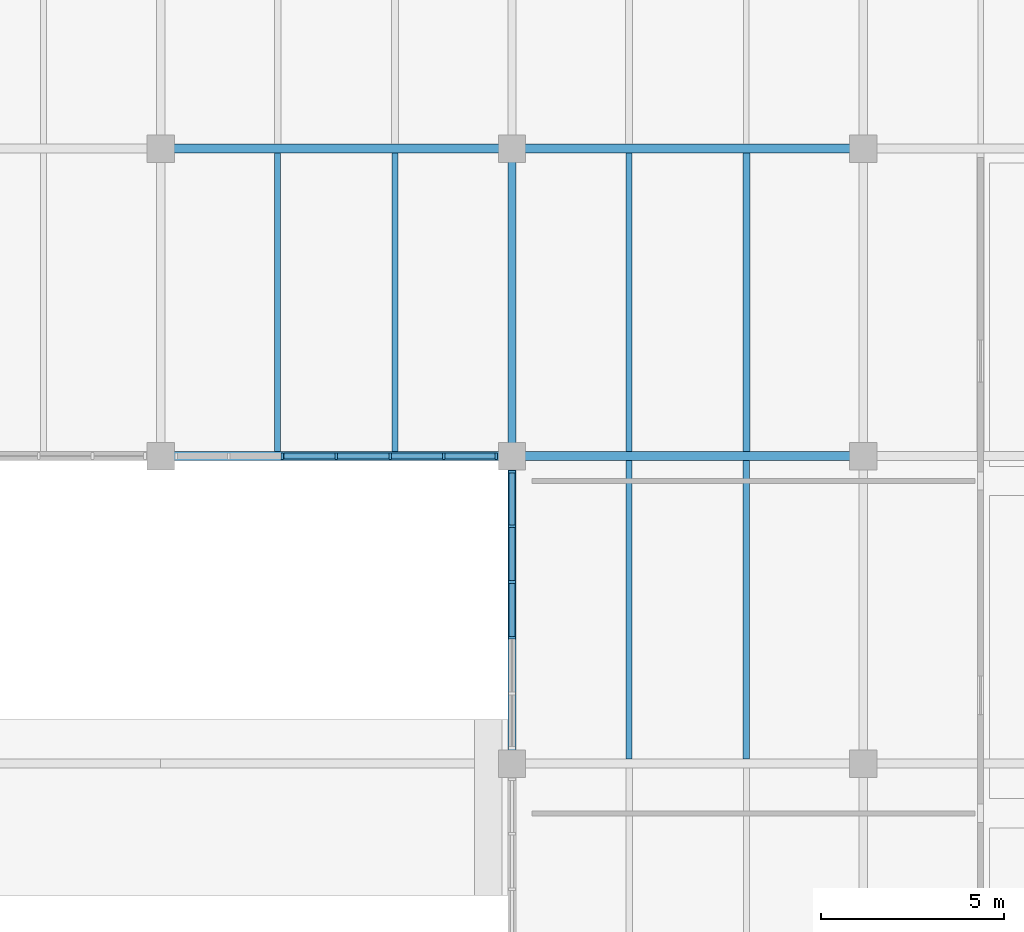
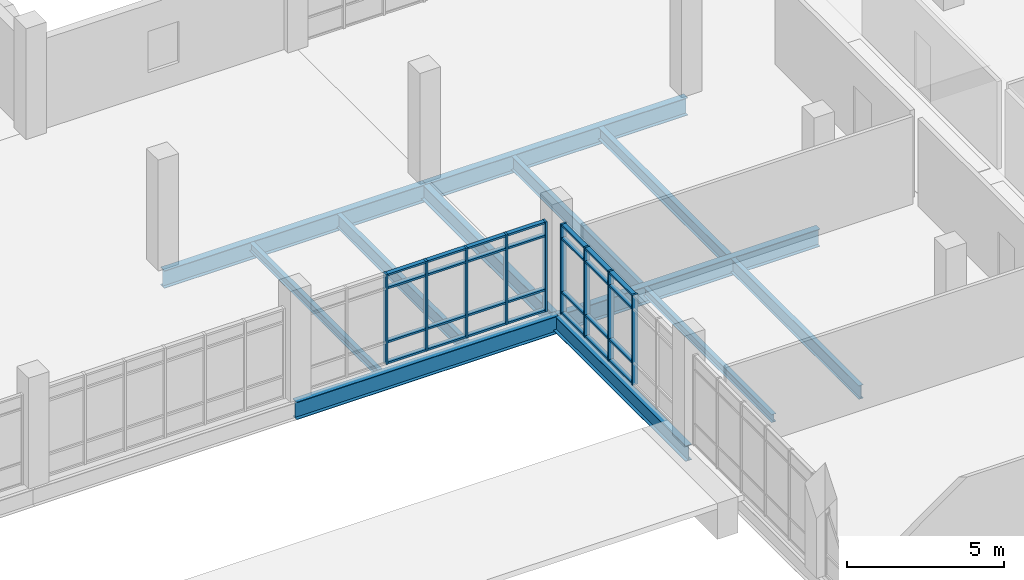
# One storey, part 28 of 86: 37 members, 12 beams, 2 elements without a shape of their own.
"""IFC4 building model written with IfcOpenShell, lengths in metres."""

from ifc_helpers import new_model, si_unit, direction, frame, origin, origin_2d, place, context, subcontext, project, spatial, rectangle, i_section, extrude, material, material_profile, profile_set, type_object, element, aggregate, save


model = new_model("IFC4")

# Units and contexts
model_context = context("Model", 3, precision=1e-05, world=origin(), true_north=direction((0.0, 1.0)))
body_context = subcontext(model_context, "Body", "Model", "MODEL_VIEW")
ifc_project = project(units=[si_unit("LENGTHUNIT", "METRE"), si_unit("AREAUNIT", "SQUARE_METRE"), si_unit("VOLUMEUNIT", "CUBIC_METRE"), si_unit("PLANEANGLEUNIT", "RADIAN"), si_unit("MASSUNIT", "GRAM", prefix="KILO")], contexts=[model_context])

# Site, building, storey
site_placement = place(None, origin())
site = spatial("IfcSite", under=ifc_project, at=site_placement, CompositionType="ELEMENT")
building_placement = place(site_placement, origin())
building = spatial("IfcBuilding", under=site, at=building_placement, Name="Oolite Switchyard Hospital", CompositionType="ELEMENT")
storey_placement = place(building_placement, frame((0.0, 0.0, 13.5)))
storey = spatial("IfcBuildingStorey", under=building, at=storey_placement, Name="L03", CompositionType="ELEMENT", Elevation=13.5)

# Beams
ifc_material_1 = material(Name="Steel ASTM A992 Grade 50", Category="steel")
ifc_material_profile_1 = material_profile(ifc_material_1, i_section(OverallWidth=0.1650390625, OverallDepth=0.31005859375, WebThickness=0.006103515625, FlangeThickness=0.010009765625, at=origin_2d()), Name="W12X26")
ifc_profile_set_1 = profile_set([ifc_material_profile_1], Name="Steel ASTM A992 Grade 50")
beam_type_1 = type_object("IfcBeamType", Name="BM-W12X26", PredefinedType="JOIST", material=ifc_profile_set_1)
for number, where, z_axis, x_axis, name in (
    (1, (176.0, 58.927001953125, -0.429931640625), (0.0, 1.0, 0.0), (-1.0, 0.0, 0.0), "L03 Secondary Steel Joist 2682"),
    (2, (185.60009765625, 50.527099609375, -0.429931640625), (0.0, 1.0, 0.0), (-1.0, 0.0, 0.0), "L03 Secondary Steel Joist 2704"),
):
    element("IfcBeam", number, at=place(storey_placement, frame(where, z_axis=z_axis, x_axis=x_axis)), inside=storey, type_object=beam_type_1, Name=name, PredefinedType="JOIST", context=body_context, shape_type="SweptSolid", body=[
        extrude(i_section(OverallWidth=0.1650390625, OverallDepth=0.31005859375, WebThickness=0.006103515625, FlangeThickness=0.010009765625, at=origin_2d()), origin(), (0.0, 0.0, 1.0), 8.14599609375),
    ])
ifc_material_profile_2 = material_profile(ifc_material_1, i_section(OverallWidth=0.19091796875, OverallDepth=0.4599609375, WebThickness=0.010009765625, FlangeThickness=0.01611328125, at=origin_2d()), Name="W18X55")
ifc_profile_set_2 = profile_set([ifc_material_profile_2], Name="Steel ASTM A992 Grade 50")
beam_type_2 = type_object("IfcBeamType", Name="BM-W18X55", PredefinedType="JOIST", material=ifc_profile_set_2)
beam_1_placement = place(storey_placement, frame((188.800048828125, 58.927001953125, -0.5048828125), z_axis=(0.0, 1.0, 0.0), x_axis=(-1.0, 0.0, 0.0)))
element("IfcBeam", 3, at=beam_1_placement, inside=storey, type_object=beam_type_2, Name="L03 Secondary Steel Joist 2707", PredefinedType="JOIST", context=body_context, shape_type="SweptSolid", body=[
    extrude(i_section(OverallWidth=0.19091796875, OverallDepth=0.4599609375, WebThickness=0.010009765625, FlangeThickness=0.01611328125, at=origin_2d()), origin(), (0.0, 0.0, 1.0), 8.14599609375),
])
ifc_material_profile_3 = material_profile(ifc_material_1, i_section(OverallWidth=0.166015625, OverallDepth=0.529052734375, WebThickness=0.010009765625, FlangeThickness=0.013916015625, at=origin_2d()), Name="W21X50")
ifc_profile_set_3 = profile_set([ifc_material_profile_3], Name="Steel ASTM A992 Grade 50")
beam_type_3 = type_object("IfcBeamType", Name="BM-W21X50", PredefinedType="JOIST", material=ifc_profile_set_3)
for number, where, z_axis, x_axis, name in (
    (4, (179.199951171875, 58.927001953125, -0.5400390625), (0.0, 1.0, 0.0), (-1.0, 0.0, 0.0), "L03 Secondary Steel Joist 2683"),
    (5, (188.800048828125, 50.527099609375, -0.5400390625), (0.0, 1.0, 0.0), (-1.0, 0.0, 0.0), "L03 Secondary Steel Joist 2705"),
    (6, (185.60009765625, 58.927001953125, -0.5400390625), (0.0, 1.0, 0.0), (-1.0, 0.0, 0.0), "L03 Secondary Steel Joist 2706"),
):
    element("IfcBeam", number, at=place(storey_placement, frame(where, z_axis=z_axis, x_axis=x_axis)), inside=storey, type_object=beam_type_3, Name=name, PredefinedType="JOIST", context=body_context, shape_type="SweptSolid", body=[
        extrude(i_section(OverallWidth=0.166015625, OverallDepth=0.529052734375, WebThickness=0.010009765625, FlangeThickness=0.013916015625, at=origin_2d()), origin(), (0.0, 0.0, 1.0), 8.14599609375),
    ])
ifc_material_profile_4 = material_profile(ifc_material_1, i_section(OverallWidth=0.22900390625, OverallDepth=0.612060546875, WebThickness=0.011962890625, FlangeThickness=0.02001953125, at=origin_2d()), Name="W24X84")
ifc_profile_set_4 = profile_set([ifc_material_profile_4], Name="Steel ASTM A992 Grade 50")
beam_type_4 = type_object("IfcBeamType", Name="BM-W24X84", PredefinedType="BEAM", material=ifc_profile_set_4)
beam_2_placement = place(storey_placement, frame((182.39990234375, 50.39990234375, -0.5810546875), z_axis=(0.0, 1.0, 0.0), x_axis=(-1.0, 0.0, 0.0)))
element("IfcBeam", 7, at=beam_2_placement, inside=storey, type_object=beam_type_4, Name="L03 Y-Girder 2353", PredefinedType="BEAM", context=body_context, shape_type="SweptSolid", body=[
    extrude(i_section(OverallWidth=0.22900390625, OverallDepth=0.612060546875, WebThickness=0.011962890625, FlangeThickness=0.02001953125, at=origin_2d()), origin(), (0.0, 0.0, 1.0), 8.400146484375),
])
beam_3_placement = place(storey_placement, frame((182.39990234375, 58.800048828125, -0.5810546875), z_axis=(0.0, 1.0, 0.0), x_axis=(-1.0, 0.0, 0.0)))
element("IfcBeam", 8, at=beam_3_placement, inside=storey, type_object=beam_type_4, Name="L03 Y-Girder 2354", PredefinedType="BEAM", context=body_context, shape_type="SweptSolid", body=[
    extrude(i_section(OverallWidth=0.22900390625, OverallDepth=0.612060546875, WebThickness=0.011962890625, FlangeThickness=0.02001953125, at=origin_2d()), origin(), (0.0, 0.0, 1.0), 8.39990234375),
])
ifc_material_profile_5 = material_profile(ifc_material_1, i_section(OverallWidth=0.25390625, OverallDepth=0.68408203125, WebThickness=0.011962890625, FlangeThickness=0.01904296875, at=origin_2d()), Name="W27X94")
ifc_profile_set_5 = profile_set([ifc_material_profile_5], Name="Steel ASTM A992 Grade 50")
beam_type_5 = type_object("IfcBeamType", Name="BM-W27X94", PredefinedType="BEAM", material=ifc_profile_set_5)
beam_4_placement = place(storey_placement, frame((172.800048828125, 58.800048828125, -0.616943359375), z_axis=(1.0, 0.0, 0.0), x_axis=(0.0, 1.0, 0.0)))
element("IfcBeam", 9, at=beam_4_placement, inside=storey, type_object=beam_type_5, Name="L03 X-Girder 2003", PredefinedType="BEAM", context=body_context, shape_type="SweptSolid", body=[
    extrude(i_section(OverallWidth=0.25390625, OverallDepth=0.68408203125, WebThickness=0.011962890625, FlangeThickness=0.01904296875, at=origin_2d()), origin(), (0.0, 0.0, 1.0), 9.599853515625),
])
beam_5_placement = place(storey_placement, frame((182.39990234375, 58.800048828125, -0.616943359375), z_axis=(1.0, 0.0, 0.0), x_axis=(0.0, 1.0, 0.0)))
element("IfcBeam", 10, at=beam_5_placement, inside=storey, type_object=beam_type_5, Name="L03 X-Girder 2004", PredefinedType="BEAM", context=body_context, shape_type="SweptSolid", body=[
    extrude(i_section(OverallWidth=0.25390625, OverallDepth=0.68408203125, WebThickness=0.011962890625, FlangeThickness=0.01904296875, at=origin_2d()), origin(), (0.0, 0.0, 1.0), 9.60009765625),
])
beam_6_placement = place(storey_placement, frame((172.800048828125, 67.199951171875, -0.616943359375), z_axis=(1.0, 0.0, 0.0), x_axis=(0.0, 1.0, 0.0)))
element("IfcBeam", 11, at=beam_6_placement, inside=storey, type_object=beam_type_5, Name="L03 X-Girder 2019", PredefinedType="BEAM", context=body_context, shape_type="SweptSolid", body=[
    extrude(i_section(OverallWidth=0.25390625, OverallDepth=0.68408203125, WebThickness=0.011962890625, FlangeThickness=0.01904296875, at=origin_2d()), origin(), (0.0, 0.0, 1.0), 9.599853515625),
])
beam_7_placement = place(storey_placement, frame((182.39990234375, 67.199951171875, -0.616943359375), z_axis=(1.0, 0.0, 0.0), x_axis=(0.0, 1.0, 0.0)))
element("IfcBeam", 12, at=beam_7_placement, inside=storey, type_object=beam_type_5, Name="L03 X-Girder 2020", PredefinedType="BEAM", context=body_context, shape_type="SweptSolid", body=[
    extrude(i_section(OverallWidth=0.25390625, OverallDepth=0.68408203125, WebThickness=0.011962890625, FlangeThickness=0.01904296875, at=origin_2d()), origin(), (0.0, 0.0, 1.0), 9.60009765625),
])

# Curtain wall, members
ifc_material_2 = material(Name="Thermally broken aluminum frame with laminated impact glazing", Category="aluminium")
curtain_wall_type_1 = type_object("IfcCurtainWallType", Name="CW-UNIT-96X43", PredefinedType="USERDEFINED", material=ifc_material_2)
curtain_wall_1_placement = place(storey_placement, origin())
curtain_wall_1 = element("IfcCurtainWall", 13, at=curtain_wall_1_placement, inside=storey, type_object=curtain_wall_type_1, Name="L03 Unitised Curtain Wall 337", ObjectType="UNITISED", PredefinedType="USERDEFINED")
ifc_material_3 = material(Name="Aluminium 6063-T6", Category="aluminium")
ifc_material_profile_6 = material_profile(ifc_material_3, rectangle(XDim=0.179931640625, YDim=0.070068359375, at=origin_2d()), Name="CWM70X180")
ifc_profile_set_6 = profile_set([ifc_material_profile_6], Name="Aluminium 6063-T6")
member_type_1 = type_object("IfcMemberType", Name="CW-MUL-220", PredefinedType="MULLION", material=ifc_profile_set_6)
member_1_placement = place(storey_placement, frame((181.97509765625, 58.800048828125, 0.0), z_axis=(0.0, 0.0, 1.0), x_axis=(0.0, -1.0, 0.0)))
member_1 = element("IfcMember", 14, at=member_1_placement, type_object=member_type_1, Name="CW-04 mullion 1", PredefinedType="MULLION", context=body_context, shape_type="SweptSolid", body=[
    extrude(rectangle(XDim=0.179931640625, YDim=0.070068359375, at=origin_2d()), origin(), (0.0, 0.0, 1.0), 3.489990234375),
])
member_2_placement = place(storey_placement, frame((180.5400390625, 58.800048828125, 0.0), z_axis=(0.0, 0.0, 1.0), x_axis=(0.0, -1.0, 0.0)))
member_2 = element("IfcMember", 15, at=member_2_placement, type_object=member_type_1, Name="CW-04 mullion 2", PredefinedType="MULLION", context=body_context, shape_type="SweptSolid", body=[
    extrude(rectangle(XDim=0.179931640625, YDim=0.070068359375, at=origin_2d()), origin(), (0.0, 0.0, 1.0), 3.489990234375),
])
member_3_placement = place(storey_placement, frame((179.070068359375, 58.800048828125, 0.0), z_axis=(0.0, 0.0, 1.0), x_axis=(0.0, -1.0, 0.0)))
member_3 = element("IfcMember", 16, at=member_3_placement, type_object=member_type_1, Name="CW-04 mullion 3", PredefinedType="MULLION", context=body_context, shape_type="SweptSolid", body=[
    extrude(rectangle(XDim=0.179931640625, YDim=0.070068359375, at=origin_2d()), origin(), (0.0, 0.0, 1.0), 3.489990234375),
])
member_4_placement = place(storey_placement, frame((177.60009765625, 58.800048828125, 0.0), z_axis=(0.0, 0.0, 1.0), x_axis=(0.0, -1.0, 0.0)))
member_4 = element("IfcMember", 17, at=member_4_placement, type_object=member_type_1, Name="CW-04 mullion 4", PredefinedType="MULLION", context=body_context, shape_type="SweptSolid", body=[
    extrude(rectangle(XDim=0.179931640625, YDim=0.070068359375, at=origin_2d()), origin(), (0.0, 0.0, 1.0), 3.489990234375),
])
member_5_placement = place(storey_placement, frame((176.1298828125, 58.800048828125, 0.0), z_axis=(0.0, 0.0, 1.0), x_axis=(0.0, -1.0, 0.0)))
member_5 = element("IfcMember", 18, at=member_5_placement, type_object=member_type_1, Name="CW-04 mullion 5", PredefinedType="MULLION", context=body_context, shape_type="SweptSolid", body=[
    extrude(rectangle(XDim=0.179931640625, YDim=0.070068359375, at=origin_2d()), origin(), (0.0, 0.0, 1.0), 3.489990234375),
])

curtain_wall_type_2 = type_object("IfcCurtainWallType", Name="CW-UNIT-84X43", PredefinedType="USERDEFINED", material=ifc_material_2)
curtain_wall_2_placement = place(storey_placement, origin())
curtain_wall_2 = element("IfcCurtainWall", 19, at=curtain_wall_2_placement, inside=storey, type_object=curtain_wall_type_2, Name="L03 Unitised Curtain Wall 347", ObjectType="UNITISED", PredefinedType="USERDEFINED")
ifc_material_profile_7 = material_profile(ifc_material_3, rectangle(XDim=0.199951171875, YDim=0.074951171875, at=origin_2d()), Name="CWM75X200")
ifc_profile_set_7 = profile_set([ifc_material_profile_7], Name="Aluminium 6063-T6")
member_type_2 = type_object("IfcMemberType", Name="CW-MUL-260", PredefinedType="MULLION", material=ifc_profile_set_7)
member_6_placement = place(storey_placement, frame((182.39990234375, 53.837890625, 0.0), z_axis=(0.0, 0.0, 1.0), x_axis=(-1.0, 0.0, 0.0)))
member_6 = element("IfcMember", 20, at=member_6_placement, type_object=member_type_2, Name="CW-09 mullion 3", PredefinedType="MULLION", context=body_context, shape_type="SweptSolid", body=[
    extrude(rectangle(XDim=0.199951171875, YDim=0.074951171875, at=origin_2d()), origin(), (0.0, 0.0, 1.0), 3.489990234375),
])
member_7_placement = place(storey_placement, frame((182.39990234375, 55.362060546875, 0.0), z_axis=(0.0, 0.0, 1.0), x_axis=(-1.0, 0.0, 0.0)))
member_7 = element("IfcMember", 21, at=member_7_placement, type_object=member_type_2, Name="CW-09 mullion 4", PredefinedType="MULLION", context=body_context, shape_type="SweptSolid", body=[
    extrude(rectangle(XDim=0.199951171875, YDim=0.074951171875, at=origin_2d()), origin(), (0.0, 0.0, 1.0), 3.489990234375),
])
member_8_placement = place(storey_placement, frame((182.39990234375, 56.885986328125, 0.0), z_axis=(0.0, 0.0, 1.0), x_axis=(-1.0, 0.0, 0.0)))
member_8 = element("IfcMember", 22, at=member_8_placement, type_object=member_type_2, Name="CW-09 mullion 5", PredefinedType="MULLION", context=body_context, shape_type="SweptSolid", body=[
    extrude(rectangle(XDim=0.199951171875, YDim=0.074951171875, at=origin_2d()), origin(), (0.0, 0.0, 1.0), 3.489990234375),
])
member_9_placement = place(storey_placement, frame((182.39990234375, 58.37255859375, 0.0), z_axis=(0.0, 0.0, 1.0), x_axis=(-1.0, 0.0, 0.0)))
member_9 = element("IfcMember", 23, at=member_9_placement, type_object=member_type_2, Name="CW-09 mullion 6", PredefinedType="MULLION", context=body_context, shape_type="SweptSolid", body=[
    extrude(rectangle(XDim=0.199951171875, YDim=0.074951171875, at=origin_2d()), origin(), (0.0, 0.0, 1.0), 3.489990234375),
])

# Member
ifc_material_profile_8 = material_profile(ifc_material_3, rectangle(XDim=0.159912109375, YDim=0.074951171875, at=origin_2d()), Name="CWT75X160")
ifc_profile_set_8 = profile_set([ifc_material_profile_8], Name="Aluminium 6063-T6")
member_type_3 = type_object("IfcMemberType", Name="CW-TRN-180", PredefinedType="USERDEFINED", material=ifc_profile_set_8)
member_10_placement = place(storey_placement, frame((181.93994140625, 58.800048828125, 0.03759765625), z_axis=(-1.0, 0.0, 0.0), x_axis=(0.0, -1.0, 0.0)))
member_10 = element("IfcMember", 24, at=member_10_placement, type_object=member_type_3, Name="CW-04 transom 1.1", ObjectType="TRANSOM", PredefinedType="USERDEFINED", context=body_context, shape_type="SweptSolid", body=[
    extrude(rectangle(XDim=0.159912109375, YDim=0.074951171875, at=origin_2d()), origin(), (0.0, 0.0, 1.0), 1.364990234375),
])

member_11_placement = place(storey_placement, frame((181.93994140625, 58.800048828125, 0.85009765625), z_axis=(-1.0, 0.0, 0.0), x_axis=(0.0, -1.0, 0.0)))
member_11 = element("IfcMember", 25, at=member_11_placement, type_object=member_type_3, Name="CW-04 transom 1.2", ObjectType="TRANSOM", PredefinedType="USERDEFINED", context=body_context, shape_type="SweptSolid", body=[
    extrude(rectangle(XDim=0.159912109375, YDim=0.074951171875, at=origin_2d()), origin(), (0.0, 0.0, 1.0), 1.364990234375),
])

member_12_placement = place(storey_placement, frame((181.93994140625, 58.800048828125, 2.93994140625), z_axis=(-1.0, 0.0, 0.0), x_axis=(0.0, -1.0, 0.0)))
member_12 = element("IfcMember", 26, at=member_12_placement, type_object=member_type_3, Name="CW-04 transom 1.3", ObjectType="TRANSOM", PredefinedType="USERDEFINED", context=body_context, shape_type="SweptSolid", body=[
    extrude(rectangle(XDim=0.159912109375, YDim=0.074951171875, at=origin_2d()), origin(), (0.0, 0.0, 1.0), 1.364990234375),
])

member_13_placement = place(storey_placement, frame((181.93994140625, 58.800048828125, 3.452392578125), z_axis=(-1.0, 0.0, 0.0), x_axis=(0.0, -1.0, 0.0)))
member_13 = element("IfcMember", 27, at=member_13_placement, type_object=member_type_3, Name="CW-04 transom 1.4", ObjectType="TRANSOM", PredefinedType="USERDEFINED", context=body_context, shape_type="SweptSolid", body=[
    extrude(rectangle(XDim=0.159912109375, YDim=0.074951171875, at=origin_2d()), origin(), (0.0, 0.0, 1.0), 1.364990234375),
])

member_14_placement = place(storey_placement, frame((180.5048828125, 58.800048828125, 0.03759765625), z_axis=(-1.0, 0.0, 0.0), x_axis=(0.0, -1.0, 0.0)))
member_14 = element("IfcMember", 28, at=member_14_placement, type_object=member_type_3, Name="CW-04 transom 2.1", ObjectType="TRANSOM", PredefinedType="USERDEFINED", context=body_context, shape_type="SweptSolid", body=[
    extrude(rectangle(XDim=0.159912109375, YDim=0.074951171875, at=origin_2d()), origin(), (0.0, 0.0, 1.0), 1.39990234375),
])

member_15_placement = place(storey_placement, frame((180.5048828125, 58.800048828125, 0.85009765625), z_axis=(-1.0, 0.0, 0.0), x_axis=(0.0, -1.0, 0.0)))
member_15 = element("IfcMember", 29, at=member_15_placement, type_object=member_type_3, Name="CW-04 transom 2.2", ObjectType="TRANSOM", PredefinedType="USERDEFINED", context=body_context, shape_type="SweptSolid", body=[
    extrude(rectangle(XDim=0.159912109375, YDim=0.074951171875, at=origin_2d()), origin(), (0.0, 0.0, 1.0), 1.39990234375),
])

member_16_placement = place(storey_placement, frame((180.5048828125, 58.800048828125, 2.93994140625), z_axis=(-1.0, 0.0, 0.0), x_axis=(0.0, -1.0, 0.0)))
member_16 = element("IfcMember", 30, at=member_16_placement, type_object=member_type_3, Name="CW-04 transom 2.3", ObjectType="TRANSOM", PredefinedType="USERDEFINED", context=body_context, shape_type="SweptSolid", body=[
    extrude(rectangle(XDim=0.159912109375, YDim=0.074951171875, at=origin_2d()), origin(), (0.0, 0.0, 1.0), 1.39990234375),
])

member_17_placement = place(storey_placement, frame((180.5048828125, 58.800048828125, 3.452392578125), z_axis=(-1.0, 0.0, 0.0), x_axis=(0.0, -1.0, 0.0)))
member_17 = element("IfcMember", 31, at=member_17_placement, type_object=member_type_3, Name="CW-04 transom 2.4", ObjectType="TRANSOM", PredefinedType="USERDEFINED", context=body_context, shape_type="SweptSolid", body=[
    extrude(rectangle(XDim=0.159912109375, YDim=0.074951171875, at=origin_2d()), origin(), (0.0, 0.0, 1.0), 1.39990234375),
])

member_18_placement = place(storey_placement, frame((179.034912109375, 58.800048828125, 0.03759765625), z_axis=(-1.0, 0.0, 0.0), x_axis=(0.0, -1.0, 0.0)))
member_18 = element("IfcMember", 32, at=member_18_placement, type_object=member_type_3, Name="CW-04 transom 3.1", ObjectType="TRANSOM", PredefinedType="USERDEFINED", context=body_context, shape_type="SweptSolid", body=[
    extrude(rectangle(XDim=0.159912109375, YDim=0.074951171875, at=origin_2d()), origin(), (0.0, 0.0, 1.0), 1.39990234375),
])

member_19_placement = place(storey_placement, frame((179.034912109375, 58.800048828125, 0.85009765625), z_axis=(-1.0, 0.0, 0.0), x_axis=(0.0, -1.0, 0.0)))
member_19 = element("IfcMember", 33, at=member_19_placement, type_object=member_type_3, Name="CW-04 transom 3.2", ObjectType="TRANSOM", PredefinedType="USERDEFINED", context=body_context, shape_type="SweptSolid", body=[
    extrude(rectangle(XDim=0.159912109375, YDim=0.074951171875, at=origin_2d()), origin(), (0.0, 0.0, 1.0), 1.39990234375),
])

member_20_placement = place(storey_placement, frame((179.034912109375, 58.800048828125, 2.93994140625), z_axis=(-1.0, 0.0, 0.0), x_axis=(0.0, -1.0, 0.0)))
member_20 = element("IfcMember", 34, at=member_20_placement, type_object=member_type_3, Name="CW-04 transom 3.3", ObjectType="TRANSOM", PredefinedType="USERDEFINED", context=body_context, shape_type="SweptSolid", body=[
    extrude(rectangle(XDim=0.159912109375, YDim=0.074951171875, at=origin_2d()), origin(), (0.0, 0.0, 1.0), 1.39990234375),
])

member_21_placement = place(storey_placement, frame((179.034912109375, 58.800048828125, 3.452392578125), z_axis=(-1.0, 0.0, 0.0), x_axis=(0.0, -1.0, 0.0)))
member_21 = element("IfcMember", 35, at=member_21_placement, type_object=member_type_3, Name="CW-04 transom 3.4", ObjectType="TRANSOM", PredefinedType="USERDEFINED", context=body_context, shape_type="SweptSolid", body=[
    extrude(rectangle(XDim=0.159912109375, YDim=0.074951171875, at=origin_2d()), origin(), (0.0, 0.0, 1.0), 1.39990234375),
])

member_22_placement = place(storey_placement, frame((177.56494140625, 58.800048828125, 0.03759765625), z_axis=(-1.0, 0.0, 0.0), x_axis=(0.0, -1.0, 0.0)))
member_22 = element("IfcMember", 36, at=member_22_placement, type_object=member_type_3, Name="CW-04 transom 4.1", ObjectType="TRANSOM", PredefinedType="USERDEFINED", context=body_context, shape_type="SweptSolid", body=[
    extrude(rectangle(XDim=0.159912109375, YDim=0.074951171875, at=origin_2d()), origin(), (0.0, 0.0, 1.0), 1.39990234375),
])

member_23_placement = place(storey_placement, frame((177.56494140625, 58.800048828125, 0.85009765625), z_axis=(-1.0, 0.0, 0.0), x_axis=(0.0, -1.0, 0.0)))
member_23 = element("IfcMember", 37, at=member_23_placement, type_object=member_type_3, Name="CW-04 transom 4.2", ObjectType="TRANSOM", PredefinedType="USERDEFINED", context=body_context, shape_type="SweptSolid", body=[
    extrude(rectangle(XDim=0.159912109375, YDim=0.074951171875, at=origin_2d()), origin(), (0.0, 0.0, 1.0), 1.39990234375),
])

member_24_placement = place(storey_placement, frame((177.56494140625, 58.800048828125, 2.93994140625), z_axis=(-1.0, 0.0, 0.0), x_axis=(0.0, -1.0, 0.0)))
member_24 = element("IfcMember", 38, at=member_24_placement, type_object=member_type_3, Name="CW-04 transom 4.3", ObjectType="TRANSOM", PredefinedType="USERDEFINED", context=body_context, shape_type="SweptSolid", body=[
    extrude(rectangle(XDim=0.159912109375, YDim=0.074951171875, at=origin_2d()), origin(), (0.0, 0.0, 1.0), 1.39990234375),
])

member_25_placement = place(storey_placement, frame((177.56494140625, 58.800048828125, 3.452392578125), z_axis=(-1.0, 0.0, 0.0), x_axis=(0.0, -1.0, 0.0)))
member_25 = element("IfcMember", 39, at=member_25_placement, type_object=member_type_3, Name="CW-04 transom 4.4", ObjectType="TRANSOM", PredefinedType="USERDEFINED", context=body_context, shape_type="SweptSolid", body=[
    extrude(rectangle(XDim=0.159912109375, YDim=0.074951171875, at=origin_2d()), origin(), (0.0, 0.0, 1.0), 1.39990234375),
])

aggregate(curtain_wall_1, [member_1, member_2, member_3, member_4, member_5, member_10, member_11, member_12, member_13, member_14, member_15, member_16, member_17, member_18, member_19, member_20, member_21, member_22, member_23, member_24, member_25])

member_26_placement = place(storey_placement, frame((182.39990234375, 53.87548828125, 0.03759765625), z_axis=(0.0, 1.0, 0.0), x_axis=(-1.0, 0.0, 0.0)))
member_26 = element("IfcMember", 40, at=member_26_placement, type_object=member_type_3, Name="CW-09 transom 3.1", ObjectType="TRANSOM", PredefinedType="USERDEFINED", context=body_context, shape_type="SweptSolid", body=[
    extrude(rectangle(XDim=0.159912109375, YDim=0.074951171875, at=origin_2d()), origin(), (0.0, 0.0, 1.0), 1.448974609375),
])

member_27_placement = place(storey_placement, frame((182.39990234375, 53.87548828125, 0.85009765625), z_axis=(0.0, 1.0, 0.0), x_axis=(-1.0, 0.0, 0.0)))
member_27 = element("IfcMember", 41, at=member_27_placement, type_object=member_type_3, Name="CW-09 transom 3.2", ObjectType="TRANSOM", PredefinedType="USERDEFINED", context=body_context, shape_type="SweptSolid", body=[
    extrude(rectangle(XDim=0.159912109375, YDim=0.074951171875, at=origin_2d()), origin(), (0.0, 0.0, 1.0), 1.448974609375),
])

member_28_placement = place(storey_placement, frame((182.39990234375, 53.87548828125, 2.93994140625), z_axis=(0.0, 1.0, 0.0), x_axis=(-1.0, 0.0, 0.0)))
member_28 = element("IfcMember", 42, at=member_28_placement, type_object=member_type_3, Name="CW-09 transom 3.3", ObjectType="TRANSOM", PredefinedType="USERDEFINED", context=body_context, shape_type="SweptSolid", body=[
    extrude(rectangle(XDim=0.159912109375, YDim=0.074951171875, at=origin_2d()), origin(), (0.0, 0.0, 1.0), 1.448974609375),
])

member_29_placement = place(storey_placement, frame((182.39990234375, 53.87548828125, 3.452392578125), z_axis=(0.0, 1.0, 0.0), x_axis=(-1.0, 0.0, 0.0)))
member_29 = element("IfcMember", 43, at=member_29_placement, type_object=member_type_3, Name="CW-09 transom 3.4", ObjectType="TRANSOM", PredefinedType="USERDEFINED", context=body_context, shape_type="SweptSolid", body=[
    extrude(rectangle(XDim=0.159912109375, YDim=0.074951171875, at=origin_2d()), origin(), (0.0, 0.0, 1.0), 1.448974609375),
])

member_30_placement = place(storey_placement, frame((182.39990234375, 55.3994140625, 0.03759765625), z_axis=(0.0, 1.0, 0.0), x_axis=(-1.0, 0.0, 0.0)))
member_30 = element("IfcMember", 44, at=member_30_placement, type_object=member_type_3, Name="CW-09 transom 4.1", ObjectType="TRANSOM", PredefinedType="USERDEFINED", context=body_context, shape_type="SweptSolid", body=[
    extrude(rectangle(XDim=0.159912109375, YDim=0.074951171875, at=origin_2d()), origin(), (0.0, 0.0, 1.0), 1.448974609375),
])

member_31_placement = place(storey_placement, frame((182.39990234375, 55.3994140625, 0.85009765625), z_axis=(0.0, 1.0, 0.0), x_axis=(-1.0, 0.0, 0.0)))
member_31 = element("IfcMember", 45, at=member_31_placement, type_object=member_type_3, Name="CW-09 transom 4.2", ObjectType="TRANSOM", PredefinedType="USERDEFINED", context=body_context, shape_type="SweptSolid", body=[
    extrude(rectangle(XDim=0.159912109375, YDim=0.074951171875, at=origin_2d()), origin(), (0.0, 0.0, 1.0), 1.448974609375),
])

member_32_placement = place(storey_placement, frame((182.39990234375, 55.3994140625, 2.93994140625), z_axis=(0.0, 1.0, 0.0), x_axis=(-1.0, 0.0, 0.0)))
member_32 = element("IfcMember", 46, at=member_32_placement, type_object=member_type_3, Name="CW-09 transom 4.3", ObjectType="TRANSOM", PredefinedType="USERDEFINED", context=body_context, shape_type="SweptSolid", body=[
    extrude(rectangle(XDim=0.159912109375, YDim=0.074951171875, at=origin_2d()), origin(), (0.0, 0.0, 1.0), 1.448974609375),
])

member_33_placement = place(storey_placement, frame((182.39990234375, 55.3994140625, 3.452392578125), z_axis=(0.0, 1.0, 0.0), x_axis=(-1.0, 0.0, 0.0)))
member_33 = element("IfcMember", 47, at=member_33_placement, type_object=member_type_3, Name="CW-09 transom 4.4", ObjectType="TRANSOM", PredefinedType="USERDEFINED", context=body_context, shape_type="SweptSolid", body=[
    extrude(rectangle(XDim=0.159912109375, YDim=0.074951171875, at=origin_2d()), origin(), (0.0, 0.0, 1.0), 1.448974609375),
])

member_34_placement = place(storey_placement, frame((182.39990234375, 56.923583984375, 0.03759765625), z_axis=(0.0, 1.0, 0.0), x_axis=(-1.0, 0.0, 0.0)))
member_34 = element("IfcMember", 48, at=member_34_placement, type_object=member_type_3, Name="CW-09 transom 5.1", ObjectType="TRANSOM", PredefinedType="USERDEFINED", context=body_context, shape_type="SweptSolid", body=[
    extrude(rectangle(XDim=0.159912109375, YDim=0.074951171875, at=origin_2d()), origin(), (0.0, 0.0, 1.0), 1.411376953125),
])

member_35_placement = place(storey_placement, frame((182.39990234375, 56.923583984375, 0.85009765625), z_axis=(0.0, 1.0, 0.0), x_axis=(-1.0, 0.0, 0.0)))
member_35 = element("IfcMember", 49, at=member_35_placement, type_object=member_type_3, Name="CW-09 transom 5.2", ObjectType="TRANSOM", PredefinedType="USERDEFINED", context=body_context, shape_type="SweptSolid", body=[
    extrude(rectangle(XDim=0.159912109375, YDim=0.074951171875, at=origin_2d()), origin(), (0.0, 0.0, 1.0), 1.411376953125),
])

member_36_placement = place(storey_placement, frame((182.39990234375, 56.923583984375, 2.93994140625), z_axis=(0.0, 1.0, 0.0), x_axis=(-1.0, 0.0, 0.0)))
member_36 = element("IfcMember", 50, at=member_36_placement, type_object=member_type_3, Name="CW-09 transom 5.3", ObjectType="TRANSOM", PredefinedType="USERDEFINED", context=body_context, shape_type="SweptSolid", body=[
    extrude(rectangle(XDim=0.159912109375, YDim=0.074951171875, at=origin_2d()), origin(), (0.0, 0.0, 1.0), 1.411376953125),
])

member_37_placement = place(storey_placement, frame((182.39990234375, 56.923583984375, 3.452392578125), z_axis=(0.0, 1.0, 0.0), x_axis=(-1.0, 0.0, 0.0)))
member_37 = element("IfcMember", 51, at=member_37_placement, type_object=member_type_3, Name="CW-09 transom 5.4", ObjectType="TRANSOM", PredefinedType="USERDEFINED", context=body_context, shape_type="SweptSolid", body=[
    extrude(rectangle(XDim=0.159912109375, YDim=0.074951171875, at=origin_2d()), origin(), (0.0, 0.0, 1.0), 1.411376953125),
])

aggregate(curtain_wall_2, [member_6, member_7, member_8, member_9, member_26, member_27, member_28, member_29, member_30, member_31, member_32, member_33, member_34, member_35, member_36, member_37])

save(model, "model.ifc")
